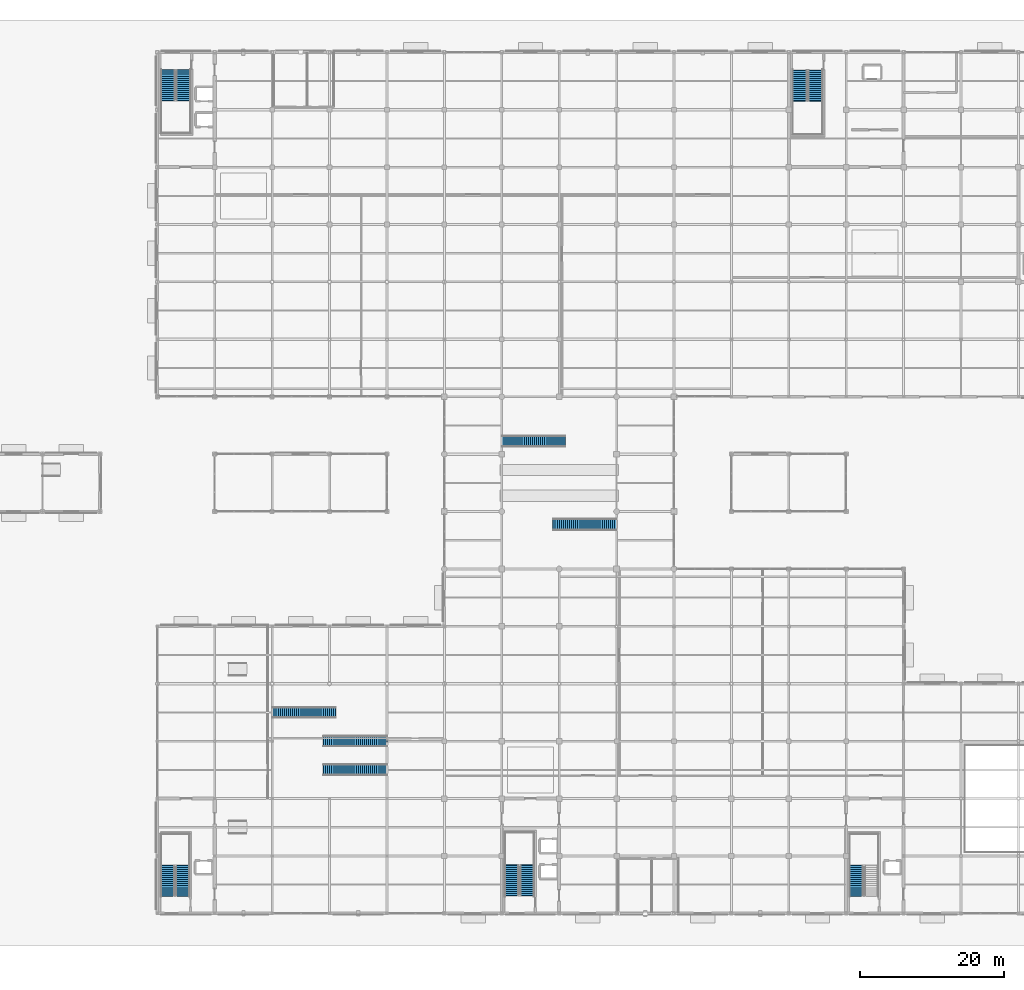
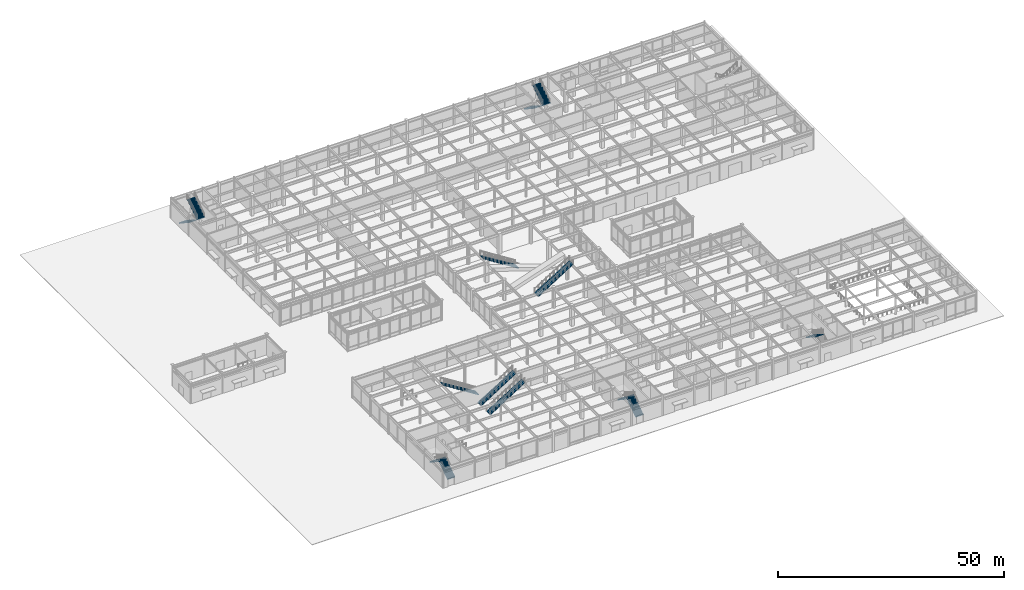
# One storey, part 109 of 128: 14 stair flights, 10 elements without a shape of their own.
"""IFC4 building model written with IfcOpenShell, lengths in metres."""

import ifcopenshell
import ifcopenshell.guid

model = None  # the IFC model being written
_history = None  # IfcOwnerHistory: only IFC2X3 demands one
_inside = {}  # id of a spatial element -> (the spatial element, [elements in it])
_under = {}  # id of a project, library or spatial element -> (it, [spatial elements below it])
_declared = {}  # id of a project -> (the project, [libraries it declares])
_typed = {}  # id of a type object -> (the type object, [elements of that type])
_made_of = {}  # id of a material, layer set ... -> (it, [elements and type objects made of it])


def new_model(schema):
    """Start an empty IFC model of exactly this schema.

    Asked for "IFC4X3", IfcOpenShell would pick the latest addendum, in which some entities
    have other attributes; the version numbers below select the first issue.
    IFC2X3 requires an IfcOwnerHistory on every rooted entity: one is made here for all.
    """
    global model, _history
    if schema == "IFC4X3":
        model = ifcopenshell.file(schema_version=(4, 3, 0, 0))
    else:
        model = ifcopenshell.file(schema=schema)
    _inside.clear()
    _under.clear()
    _declared.clear()
    _typed.clear()
    _made_of.clear()
    _history = None
    if model.schema == "IFC2X3":
        org = make("IfcOrganization", Name="unknown")
        user = make(
            "IfcPersonAndOrganization",
            ThePerson=make("IfcPerson", FamilyName="unknown"),
            TheOrganization=org,
        )
        app = make(
            "IfcApplication",
            ApplicationDeveloper=org,
            Version="unknown",
            ApplicationFullName="unknown",
            ApplicationIdentifier="unknown",
        )
        _history = make(
            "IfcOwnerHistory",
            OwningUser=user,
            OwningApplication=app,
            ChangeAction="ADDED",
            CreationDate=0,
        )
    return model


def make(cls, **values):
    """One entity of the class cls with the attributes given. An attribute that is None is left unset."""
    return model.create_entity(
        cls, **{name: value for name, value in values.items() if value is not None}
    )


def rooted(cls, **values):
    """An entity with a GlobalId (a new one), such as an element, a storey or a relation."""
    return make(cls, GlobalId=ifcopenshell.guid.new(), OwnerHistory=_history, **values)


def si_unit(unit_type, name, prefix=None):
    """IfcSIUnit, for example si_unit("LENGTHUNIT", "METRE", prefix="MILLI")."""
    return make("IfcSIUnit", UnitType=unit_type, Prefix=prefix, Name=name)


def assignment(units):
    """IfcUnitAssignment: the units of a project."""
    return None if units is None else make("IfcUnitAssignment", Units=units)


def point(xyz):
    """IfcCartesianPoint."""
    return None if xyz is None else make("IfcCartesianPoint", Coordinates=xyz)


def direction(xyz):
    """IfcDirection."""
    return None if xyz is None else make("IfcDirection", DirectionRatios=xyz)


def frame(location, z_axis=None, x_axis=None):
    """IfcAxis2Placement3D, a coordinate frame: its origin and axes. An axis left out is left unset."""
    return make(
        "IfcAxis2Placement3D",
        Location=point(location),
        Axis=direction(z_axis),
        RefDirection=direction(x_axis),
    )


def origin():
    """The frame at (0, 0, 0) with its axes left unset."""
    return frame((0.0, 0.0, 0.0))


def place(relative_to, where):
    """IfcLocalPlacement: puts the frame where relative to a parent placement (None: the world)."""
    return make(
        "IfcLocalPlacement", PlacementRelTo=relative_to, RelativePlacement=where
    )


def context(
    kind, dimensions, precision=None, world=None, true_north=None, identifier=None
):
    """IfcGeometricRepresentationContext, for example the 3D "Model" context."""
    return make(
        "IfcGeometricRepresentationContext",
        ContextIdentifier=identifier,
        ContextType=kind,
        CoordinateSpaceDimension=dimensions,
        Precision=precision,
        WorldCoordinateSystem=world,
        TrueNorth=true_north,
    )


def subcontext(parent, identifier, kind, view, scale=None):
    """IfcGeometricRepresentationSubContext, for example "Body" below "Model"."""
    return make(
        "IfcGeometricRepresentationSubContext",
        ContextIdentifier=identifier,
        ContextType=kind,
        ParentContext=parent,
        TargetScale=scale,
        TargetView=view,
    )


def project(units=None, contexts=None):
    """IfcProject with its units and contexts."""
    return rooted(
        "IfcProject",
        Name="project",
        RepresentationContexts=contexts,
        UnitsInContext=assignment(units),
    )


def spatial(cls, under=None, at=None, **own):
    """A site, building, storey or space (cls), placed at a placement, below another one or the project."""
    s = rooted(cls, ObjectPlacement=at, **own)
    if under is not None:
        _under.setdefault(under.id(), (under, []))[1].append(s)
    return s


def polyline(points):
    """IfcPolyline through the points."""
    return make("IfcPolyline", Points=[point(p) for p in points])


def outline(outer, holes=None, kind="AREA"):
    """IfcArbitraryClosedProfileDef: a profile drawn as a closed curve; with holes, ...WithVoids."""
    if holes is None:
        return make("IfcArbitraryClosedProfileDef", ProfileType=kind, OuterCurve=outer)
    return make(
        "IfcArbitraryProfileDefWithVoids",
        ProfileType=kind,
        OuterCurve=outer,
        InnerCurves=holes,
    )


def extrude(swept, where, along, depth):
    """IfcExtrudedAreaSolid: the profile swept, set in the frame where, extruded along a direction by depth."""
    return make(
        "IfcExtrudedAreaSolid",
        SweptArea=swept,
        Position=where,
        ExtrudedDirection=direction(along),
        Depth=depth,
    )


def shape(context_of_items, identifier, shape_type, items):
    """IfcShapeRepresentation: the items that make up one representation, for example the "Body"."""
    return make(
        "IfcShapeRepresentation",
        ContextOfItems=context_of_items,
        RepresentationIdentifier=identifier,
        RepresentationType=shape_type,
        Items=items,
    )


def material(Name=None, Category=None):
    """IfcMaterial."""
    return make("IfcMaterial", Name=Name, Category=Category)


def made_of(thing, what):
    """Note that an element or type object is made of a material, layer set ...; save() writes the relation."""
    if what is not None:
        _made_of.setdefault(what.id(), (what, []))[1].append(thing)
    return thing


def type_object(cls, material=None, **own):
    """A type object (cls), such as IfcWallType, which elements share."""
    return made_of(rooted(cls, **own), material)


def element(
    cls,
    number,
    at=None,
    inside=None,
    cuts=None,
    type_object=None,
    material=None,
    context=None,
    identifier="Body",
    shape_type=None,
    held_by="IfcProductDefinitionShape",
    body=None,
    shapes=None,
    **own,
):
    """One element of the class cls, such as IfcWall. Its Tag is "e" and its number.

    at: its placement. inside: the storey or other place that contains it. cuts: it is an
    opening in that element (IfcRelVoidsElement). A single representation is given by context,
    identifier, shape_type and body (its items); several are given by shapes. held_by: the class
    of the entity that holds the representations. save() writes the other relations.
    """
    e = rooted(cls, Tag="e%d" % number, ObjectPlacement=at, **own)
    if body is not None:
        shapes = [shape(context, identifier, shape_type, body)]
    if shapes is not None:
        e.Representation = make(held_by, Representations=shapes)
    if inside is not None:
        _inside.setdefault(inside.id(), (inside, []))[1].append(e)
    if cuts is not None:
        rooted(
            "IfcRelVoidsElement", RelatingBuildingElement=cuts, RelatedOpeningElement=e
        )
    if type_object is not None:
        _typed.setdefault(type_object.id(), (type_object, []))[1].append(e)
    return made_of(e, material)


def aggregate(whole, parts):
    """IfcRelAggregates: a whole, such as a stair, and the parts it consists of."""
    return rooted("IfcRelAggregates", RelatingObject=whole, RelatedObjects=parts)


def save(model, path):
    """Write the relations noted so far, then the file.

    IfcRelAggregates (storeys below a building ...), IfcRelContainedInSpatialStructure (elements
    in a storey), IfcRelDefinesByType, IfcRelAssociatesMaterial and IfcRelDeclares: one each for
    every whole, place, type object, material and project.
    """
    for whole, parts in _under.values():
        aggregate(whole, parts)
    for where, things in _inside.values():
        rooted(
            "IfcRelContainedInSpatialStructure",
            RelatedElements=things,
            RelatingStructure=where,
        )
    for kind, things in _typed.values():
        rooted("IfcRelDefinesByType", RelatedObjects=things, RelatingType=kind)
    for what, things in _made_of.values():
        rooted("IfcRelAssociatesMaterial", RelatedObjects=things, RelatingMaterial=what)
    for by, libraries in _declared.values():
        rooted("IfcRelDeclares", RelatingContext=by, RelatedDefinitions=libraries)
    model.write(path)


model = new_model("IFC4")

# Units and contexts
model_context = context("Model", 3, precision=1e-05, world=origin(), true_north=direction((0.0, 1.0)))
body_context = subcontext(model_context, "Body", "Model", "MODEL_VIEW")
ifc_project = project(units=[si_unit("LENGTHUNIT", "METRE"), si_unit("AREAUNIT", "SQUARE_METRE"), si_unit("VOLUMEUNIT", "CUBIC_METRE"), si_unit("PLANEANGLEUNIT", "RADIAN"), si_unit("MASSUNIT", "GRAM", prefix="KILO")], contexts=[model_context])

# Site, building, storey
site_placement = place(None, origin())
site = spatial("IfcSite", under=ifc_project, at=site_placement, CompositionType="ELEMENT")
building_placement = place(site_placement, origin())
building = spatial("IfcBuilding", under=site, at=building_placement, Name="Solmirada Galleria", CompositionType="ELEMENT")
storey_placement = place(building_placement, origin())
storey = spatial("IfcBuildingStorey", under=building, at=storey_placement, Name="L00", CompositionType="ELEMENT", Elevation=0.0)

# Stair, stair flights
ifc_material_1 = material(Name="Concrete C35/45", Category="concrete")
stair_type_1 = type_object("IfcStairType", Name="STR-DOG-195-H56", PredefinedType="HALF_TURN_STAIR", material=ifc_material_1)
stair_1_placement = place(storey_placement, origin())
stair_1 = element("IfcStair", 1, at=stair_1_placement, inside=storey, type_object=stair_type_1, Name="L00 Food Hall Pavilion Core Exit Stair ST5", PredefinedType="HALF_TURN_STAIR")
stair_flight_type_1 = type_object("IfcStairFlightType", Name="SFL-DOG-195-H56", PredefinedType="STRAIGHT", material=ifc_material_1)
stair_flight_1_placement = place(storey_placement, frame((43.52490234375, 2.449951171875, 0.0), z_axis=(0.0, 0.0, 1.0), x_axis=(0.0, 1.0, 0.0)))
stair_flight_1 = element("IfcStairFlight", 2, at=stair_flight_1_placement, type_object=stair_flight_type_1, Name="ST5 flight 1", NumberOfRisers=16, NumberOfTreads=15, PredefinedType="STRAIGHT", RiserHeight=0.175, TreadLength=0.28, context=body_context, shape_type="SweptSolid", body=[
    extrude(outline(polyline([(-0.080078125, 0.0), (0.0, 0.0), (0.0, 0.175048828125), (0.280029296875, 0.175048828125), (0.280029296875, 0.35009765625), (0.56005859375, 0.35009765625), (0.56005859375, 0.52490234375), (0.840087890625, 0.52490234375), (0.840087890625, 0.699951171875), (1.1201171875, 0.699951171875), (1.1201171875, 0.875), (1.39990234375, 0.875), (1.39990234375, 1.050048828125), (1.679931640625, 1.050048828125), (1.679931640625, 1.22509765625), (1.9599609375, 1.22509765625), (1.9599609375, 1.39990234375), (2.239990234375, 1.39990234375), (2.239990234375, 1.574951171875), (2.52001953125, 1.574951171875), (2.52001953125, 1.75), (2.800048828125, 1.75), (2.800048828125, 1.925048828125), (3.080078125, 1.925048828125), (3.080078125, 2.10009765625), (3.360107421875, 2.10009765625), (3.360107421875, 2.27490234375), (3.639892578125, 2.27490234375), (3.639892578125, 2.449951171875), (3.919921875, 2.449951171875), (3.919921875, 2.625), (4.199951171875, 2.625), (4.199951171875, 2.800048828125), (4.280029296875, 2.800048828125), (4.280029296875, 2.60009765625), (4.199951171875, 2.60009765625), (0.080078125, -0.179931640625), (-0.080078125, -0.179931640625), (-0.080078125, 0.0)])), frame((0.0, 0.97509765625, 0.0), z_axis=(0.0, -1.0, 0.0), x_axis=(1.0, 0.0, 0.0)), (0.0, 0.0, 1.0), 1.949951171875),
])
stair_flight_2_placement = place(storey_placement, frame((41.425048828125, 6.64990234375, 2.800048828125), z_axis=(0.0, 0.0, 1.0), x_axis=(0.0, -1.0, 0.0)))
stair_flight_2 = element("IfcStairFlight", 3, at=stair_flight_2_placement, type_object=stair_flight_type_1, Name="ST5 flight 2", NumberOfRisers=16, NumberOfTreads=15, PredefinedType="STRAIGHT", RiserHeight=0.175, TreadLength=0.28, context=body_context, shape_type="SweptSolid", body=[
    extrude(outline(polyline([(-0.080078125, 0.0), (0.0, 0.0), (0.0, 0.175048828125), (0.280029296875, 0.175048828125), (0.280029296875, 0.35009765625), (0.56005859375, 0.35009765625), (0.56005859375, 0.52490234375), (0.840087890625, 0.52490234375), (0.840087890625, 0.699951171875), (1.1201171875, 0.699951171875), (1.1201171875, 0.875), (1.39990234375, 0.875), (1.39990234375, 1.050048828125), (1.679931640625, 1.050048828125), (1.679931640625, 1.22509765625), (1.9599609375, 1.22509765625), (1.9599609375, 1.39990234375), (2.239990234375, 1.39990234375), (2.239990234375, 1.574951171875), (2.52001953125, 1.574951171875), (2.52001953125, 1.75), (2.800048828125, 1.75), (2.800048828125, 1.925048828125), (3.080078125, 1.925048828125), (3.080078125, 2.10009765625), (3.360107421875, 2.10009765625), (3.360107421875, 2.27490234375), (3.639892578125, 2.27490234375), (3.639892578125, 2.449951171875), (3.919921875, 2.449951171875), (3.919921875, 2.625), (4.199951171875, 2.625), (4.199951171875, 2.800048828125), (4.280029296875, 2.800048828125), (4.280029296875, 2.60009765625), (4.199951171875, 2.60009765625), (0.080078125, -0.179931640625), (-0.080078125, -0.179931640625), (-0.080078125, 0.0)])), frame((0.0, 0.97509765625, 0.0), z_axis=(0.0, -1.0, 0.0), x_axis=(1.0, 0.0, 0.0)), (0.0, 0.0, 1.0), 1.949951171875),
])
aggregate(stair_1, [stair_flight_1, stair_flight_2])

# Stair, stair flight
stair_2_placement = place(storey_placement, origin())
stair_2 = element("IfcStair", 4, at=stair_2_placement, inside=storey, type_object=stair_type_1, Name="L00 Southeast Podium Core Exit Stair ST6", PredefinedType="HALF_TURN_STAIR")
stair_flight_3_placement = place(storey_placement, frame((137.425048828125, 6.64990234375, 2.800048828125), z_axis=(0.0, 0.0, 1.0), x_axis=(0.0, -1.0, 0.0)))
stair_flight_3 = element("IfcStairFlight", 5, at=stair_flight_3_placement, type_object=stair_flight_type_1, Name="ST6 flight 2", NumberOfRisers=16, NumberOfTreads=15, PredefinedType="STRAIGHT", RiserHeight=0.175, TreadLength=0.28, context=body_context, shape_type="SweptSolid", body=[
    extrude(outline(polyline([(-0.080078125, 0.0), (0.0, 0.0), (0.0, 0.175048828125), (0.280029296875, 0.175048828125), (0.280029296875, 0.35009765625), (0.56005859375, 0.35009765625), (0.56005859375, 0.52490234375), (0.840087890625, 0.52490234375), (0.840087890625, 0.699951171875), (1.1201171875, 0.699951171875), (1.1201171875, 0.875), (1.39990234375, 0.875), (1.39990234375, 1.050048828125), (1.679931640625, 1.050048828125), (1.679931640625, 1.22509765625), (1.9599609375, 1.22509765625), (1.9599609375, 1.39990234375), (2.239990234375, 1.39990234375), (2.239990234375, 1.574951171875), (2.52001953125, 1.574951171875), (2.52001953125, 1.75), (2.800048828125, 1.75), (2.800048828125, 1.925048828125), (3.080078125, 1.925048828125), (3.080078125, 2.10009765625), (3.360107421875, 2.10009765625), (3.360107421875, 2.27490234375), (3.639892578125, 2.27490234375), (3.639892578125, 2.449951171875), (3.919921875, 2.449951171875), (3.919921875, 2.625), (4.199951171875, 2.625), (4.199951171875, 2.800048828125), (4.280029296875, 2.800048828125), (4.280029296875, 2.60009765625), (4.199951171875, 2.60009765625), (0.080078125, -0.179931640625), (-0.080078125, -0.179931640625), (-0.080078125, 0.0)])), frame((0.0, 0.97509765625, 0.0), z_axis=(0.0, -1.0, 0.0), x_axis=(1.0, 0.0, 0.0)), (0.0, 0.0, 1.0), 1.949951171875),
])
aggregate(stair_2, [stair_flight_3])

# Stair, stair flights
stair_type_2 = type_object("IfcStairType", Name="STR-DOG-200-H56", PredefinedType="HALF_TURN_STAIR", material=ifc_material_1)
stair_3_placement = place(storey_placement, origin())
stair_3 = element("IfcStair", 6, at=stair_3_placement, inside=storey, type_object=stair_type_2, Name="L00 Northwest Sales Core Exit Stair ST1", PredefinedType="HALF_TURN_STAIR")
stair_flight_type_2 = type_object("IfcStairFlightType", Name="SFL-DOG-200-H56", PredefinedType="STRAIGHT", material=ifc_material_1)
stair_flight_4_placement = place(storey_placement, frame((41.5, 117.5, 0.0), z_axis=(0.0, 0.0, 1.0), x_axis=(0.0, -1.0, 0.0)))
stair_flight_4 = element("IfcStairFlight", 7, at=stair_flight_4_placement, type_object=stair_flight_type_2, Name="ST1 flight 1", NumberOfRisers=16, NumberOfTreads=15, PredefinedType="STRAIGHT", RiserHeight=0.175, TreadLength=0.28, context=body_context, shape_type="SweptSolid", body=[
    extrude(outline(polyline([(-0.080078125, 0.0), (0.0, 0.0), (0.0, 0.175048828125), (0.280029296875, 0.175048828125), (0.280029296875, 0.35009765625), (0.56005859375, 0.35009765625), (0.56005859375, 0.52490234375), (0.840087890625, 0.52490234375), (0.840087890625, 0.699951171875), (1.1201171875, 0.699951171875), (1.1201171875, 0.875), (1.39990234375, 0.875), (1.39990234375, 1.050048828125), (1.679931640625, 1.050048828125), (1.679931640625, 1.22509765625), (1.9599609375, 1.22509765625), (1.9599609375, 1.39990234375), (2.239990234375, 1.39990234375), (2.239990234375, 1.574951171875), (2.52001953125, 1.574951171875), (2.52001953125, 1.75), (2.800048828125, 1.75), (2.800048828125, 1.925048828125), (3.080078125, 1.925048828125), (3.080078125, 2.10009765625), (3.360107421875, 2.10009765625), (3.360107421875, 2.27490234375), (3.639892578125, 2.27490234375), (3.639892578125, 2.449951171875), (3.919921875, 2.449951171875), (3.919921875, 2.625), (4.199951171875, 2.625), (4.199951171875, 2.800048828125), (4.280029296875, 2.800048828125), (4.280029296875, 2.60009765625), (4.199951171875, 2.60009765625), (0.080078125, -0.179931640625), (-0.080078125, -0.179931640625), (-0.080078125, 0.0)])), frame((0.0, 1.0, 0.0), z_axis=(0.0, -1.0, 0.0), x_axis=(1.0, 0.0, 0.0)), (0.0, 0.0, 1.0), 2.0),
])
stair_flight_5_placement = place(storey_placement, frame((43.64990234375, 113.300048828125, 2.800048828125), z_axis=(0.0, 0.0, 1.0), x_axis=(0.0, 1.0, 0.0)))
stair_flight_5 = element("IfcStairFlight", 8, at=stair_flight_5_placement, type_object=stair_flight_type_2, Name="ST1 flight 2", NumberOfRisers=16, NumberOfTreads=15, PredefinedType="STRAIGHT", RiserHeight=0.175, TreadLength=0.28, context=body_context, shape_type="SweptSolid", body=[
    extrude(outline(polyline([(-0.080078125, 0.0), (0.0, 0.0), (0.0, 0.175048828125), (0.280029296875, 0.175048828125), (0.280029296875, 0.35009765625), (0.56005859375, 0.35009765625), (0.56005859375, 0.52490234375), (0.840087890625, 0.52490234375), (0.840087890625, 0.699951171875), (1.1201171875, 0.699951171875), (1.1201171875, 0.875), (1.39990234375, 0.875), (1.39990234375, 1.050048828125), (1.679931640625, 1.050048828125), (1.679931640625, 1.22509765625), (1.9599609375, 1.22509765625), (1.9599609375, 1.39990234375), (2.239990234375, 1.39990234375), (2.239990234375, 1.574951171875), (2.52001953125, 1.574951171875), (2.52001953125, 1.75), (2.800048828125, 1.75), (2.800048828125, 1.925048828125), (3.080078125, 1.925048828125), (3.080078125, 2.10009765625), (3.360107421875, 2.10009765625), (3.360107421875, 2.27490234375), (3.639892578125, 2.27490234375), (3.639892578125, 2.449951171875), (3.919921875, 2.449951171875), (3.919921875, 2.625), (4.199951171875, 2.625), (4.199951171875, 2.800048828125), (4.280029296875, 2.800048828125), (4.280029296875, 2.60009765625), (4.199951171875, 2.60009765625), (0.080078125, -0.179931640625), (-0.080078125, -0.179931640625), (-0.080078125, 0.0)])), frame((0.0, 1.0, 0.0), z_axis=(0.0, -1.0, 0.0), x_axis=(1.0, 0.0, 0.0)), (0.0, 0.0, 1.0), 2.0),
])
aggregate(stair_3, [stair_flight_4, stair_flight_5])

stair_4_placement = place(storey_placement, origin())
stair_4 = element("IfcStair", 9, at=stair_4_placement, inside=storey, type_object=stair_type_2, Name="L00 South Sales Core Exit Stair ST2", PredefinedType="HALF_TURN_STAIR")
stair_flight_6_placement = place(storey_placement, frame((91.550048828125, 2.5, 0.0), z_axis=(0.0, 0.0, 1.0), x_axis=(0.0, 1.0, 0.0)))
stair_flight_6 = element("IfcStairFlight", 10, at=stair_flight_6_placement, type_object=stair_flight_type_2, Name="ST2 flight 1", NumberOfRisers=16, NumberOfTreads=15, PredefinedType="STRAIGHT", RiserHeight=0.175, TreadLength=0.28, context=body_context, shape_type="SweptSolid", body=[
    extrude(outline(polyline([(-0.080078125, 0.0), (0.0, 0.0), (0.0, 0.175048828125), (0.280029296875, 0.175048828125), (0.280029296875, 0.35009765625), (0.56005859375, 0.35009765625), (0.56005859375, 0.52490234375), (0.840087890625, 0.52490234375), (0.840087890625, 0.699951171875), (1.1201171875, 0.699951171875), (1.1201171875, 0.875), (1.39990234375, 0.875), (1.39990234375, 1.050048828125), (1.679931640625, 1.050048828125), (1.679931640625, 1.22509765625), (1.9599609375, 1.22509765625), (1.9599609375, 1.39990234375), (2.239990234375, 1.39990234375), (2.239990234375, 1.574951171875), (2.52001953125, 1.574951171875), (2.52001953125, 1.75), (2.800048828125, 1.75), (2.800048828125, 1.925048828125), (3.080078125, 1.925048828125), (3.080078125, 2.10009765625), (3.360107421875, 2.10009765625), (3.360107421875, 2.27490234375), (3.639892578125, 2.27490234375), (3.639892578125, 2.449951171875), (3.919921875, 2.449951171875), (3.919921875, 2.625), (4.199951171875, 2.625), (4.199951171875, 2.800048828125), (4.280029296875, 2.800048828125), (4.280029296875, 2.60009765625), (4.199951171875, 2.60009765625), (0.080078125, -0.179931640625), (-0.080078125, -0.179931640625), (-0.080078125, 0.0)])), frame((0.0, 1.0, 0.0), z_axis=(0.0, -1.0, 0.0), x_axis=(1.0, 0.0, 0.0)), (0.0, 0.0, 1.0), 2.0),
])
stair_flight_7_placement = place(storey_placement, frame((89.39990234375, 6.699951171875, 2.800048828125), z_axis=(0.0, 0.0, 1.0), x_axis=(0.0, -1.0, 0.0)))
stair_flight_7 = element("IfcStairFlight", 11, at=stair_flight_7_placement, type_object=stair_flight_type_2, Name="ST2 flight 2", NumberOfRisers=16, NumberOfTreads=15, PredefinedType="STRAIGHT", RiserHeight=0.175, TreadLength=0.28, context=body_context, shape_type="SweptSolid", body=[
    extrude(outline(polyline([(-0.080078125, 0.0), (0.0, 0.0), (0.0, 0.175048828125), (0.280029296875, 0.175048828125), (0.280029296875, 0.35009765625), (0.56005859375, 0.35009765625), (0.56005859375, 0.52490234375), (0.840087890625, 0.52490234375), (0.840087890625, 0.699951171875), (1.1201171875, 0.699951171875), (1.1201171875, 0.875), (1.39990234375, 0.875), (1.39990234375, 1.050048828125), (1.679931640625, 1.050048828125), (1.679931640625, 1.22509765625), (1.9599609375, 1.22509765625), (1.9599609375, 1.39990234375), (2.239990234375, 1.39990234375), (2.239990234375, 1.574951171875), (2.52001953125, 1.574951171875), (2.52001953125, 1.75), (2.800048828125, 1.75), (2.800048828125, 1.925048828125), (3.080078125, 1.925048828125), (3.080078125, 2.10009765625), (3.360107421875, 2.10009765625), (3.360107421875, 2.27490234375), (3.639892578125, 2.27490234375), (3.639892578125, 2.449951171875), (3.919921875, 2.449951171875), (3.919921875, 2.625), (4.199951171875, 2.625), (4.199951171875, 2.800048828125), (4.280029296875, 2.800048828125), (4.280029296875, 2.60009765625), (4.199951171875, 2.60009765625), (0.080078125, -0.179931640625), (-0.080078125, -0.179931640625), (-0.080078125, 0.0)])), frame((0.0, 1.0, 0.0), z_axis=(0.0, -1.0, 0.0), x_axis=(1.0, 0.0, 0.0)), (0.0, 0.0, 1.0), 2.0),
])
aggregate(stair_4, [stair_flight_6, stair_flight_7])

stair_type_3 = type_object("IfcStairType", Name="STR-DOG-205-H56", PredefinedType="HALF_TURN_STAIR", material=ifc_material_1)
stair_5_placement = place(storey_placement, origin())
stair_5 = element("IfcStair", 12, at=stair_5_placement, inside=storey, type_object=stair_type_3, Name="L00 North Avenue High-Rise Core Exit Stair ST3", PredefinedType="HALF_TURN_STAIR")
stair_flight_type_3 = type_object("IfcStairFlightType", Name="SFL-DOG-205-H56", PredefinedType="STRAIGHT", material=ifc_material_1)
stair_flight_8_placement = place(storey_placement, frame((129.52490234375, 117.449951171875, 0.0), z_axis=(0.0, 0.0, 1.0), x_axis=(0.0, -1.0, 0.0)))
stair_flight_8 = element("IfcStairFlight", 13, at=stair_flight_8_placement, type_object=stair_flight_type_3, Name="ST3 flight 1", NumberOfRisers=16, NumberOfTreads=15, PredefinedType="STRAIGHT", RiserHeight=0.175, TreadLength=0.28, context=body_context, shape_type="SweptSolid", body=[
    extrude(outline(polyline([(-0.080078125, 0.0), (0.0, 0.0), (0.0, 0.175048828125), (0.280029296875, 0.175048828125), (0.280029296875, 0.35009765625), (0.56005859375, 0.35009765625), (0.56005859375, 0.52490234375), (0.840087890625, 0.52490234375), (0.840087890625, 0.699951171875), (1.1201171875, 0.699951171875), (1.1201171875, 0.875), (1.39990234375, 0.875), (1.39990234375, 1.050048828125), (1.679931640625, 1.050048828125), (1.679931640625, 1.22509765625), (1.9599609375, 1.22509765625), (1.9599609375, 1.39990234375), (2.239990234375, 1.39990234375), (2.239990234375, 1.574951171875), (2.52001953125, 1.574951171875), (2.52001953125, 1.75), (2.800048828125, 1.75), (2.800048828125, 1.925048828125), (3.080078125, 1.925048828125), (3.080078125, 2.10009765625), (3.360107421875, 2.10009765625), (3.360107421875, 2.27490234375), (3.639892578125, 2.27490234375), (3.639892578125, 2.449951171875), (3.919921875, 2.449951171875), (3.919921875, 2.625), (4.199951171875, 2.625), (4.199951171875, 2.800048828125), (4.280029296875, 2.800048828125), (4.280029296875, 2.60009765625), (4.199951171875, 2.60009765625), (0.080078125, -0.179931640625), (-0.080078125, -0.179931640625), (-0.080078125, 0.0)])), frame((0.0, 1.02490234375, 0.0), z_axis=(0.0, -1.0, 0.0), x_axis=(1.0, 0.0, 0.0)), (0.0, 0.0, 1.0), 2.050048828125),
])
stair_flight_9_placement = place(storey_placement, frame((131.72509765625, 113.25, 2.800048828125), z_axis=(0.0, 0.0, 1.0), x_axis=(0.0, 1.0, 0.0)))
stair_flight_9 = element("IfcStairFlight", 14, at=stair_flight_9_placement, type_object=stair_flight_type_3, Name="ST3 flight 2", NumberOfRisers=16, NumberOfTreads=15, PredefinedType="STRAIGHT", RiserHeight=0.175, TreadLength=0.28, context=body_context, shape_type="SweptSolid", body=[
    extrude(outline(polyline([(-0.080078125, 0.0), (0.0, 0.0), (0.0, 0.175048828125), (0.280029296875, 0.175048828125), (0.280029296875, 0.35009765625), (0.56005859375, 0.35009765625), (0.56005859375, 0.52490234375), (0.840087890625, 0.52490234375), (0.840087890625, 0.699951171875), (1.1201171875, 0.699951171875), (1.1201171875, 0.875), (1.39990234375, 0.875), (1.39990234375, 1.050048828125), (1.679931640625, 1.050048828125), (1.679931640625, 1.22509765625), (1.9599609375, 1.22509765625), (1.9599609375, 1.39990234375), (2.239990234375, 1.39990234375), (2.239990234375, 1.574951171875), (2.52001953125, 1.574951171875), (2.52001953125, 1.75), (2.800048828125, 1.75), (2.800048828125, 1.925048828125), (3.080078125, 1.925048828125), (3.080078125, 2.10009765625), (3.360107421875, 2.10009765625), (3.360107421875, 2.27490234375), (3.639892578125, 2.27490234375), (3.639892578125, 2.449951171875), (3.919921875, 2.449951171875), (3.919921875, 2.625), (4.199951171875, 2.625), (4.199951171875, 2.800048828125), (4.280029296875, 2.800048828125), (4.280029296875, 2.60009765625), (4.199951171875, 2.60009765625), (0.080078125, -0.179931640625), (-0.080078125, -0.179931640625), (-0.080078125, 0.0)])), frame((0.0, 1.02490234375, 0.0), z_axis=(0.0, -1.0, 0.0), x_axis=(1.0, 0.0, 0.0)), (0.0, 0.0, 1.0), 2.050048828125),
])
aggregate(stair_5, [stair_flight_8, stair_flight_9])

# Stair, stair flight
ifc_material_2 = material(Name="Steel S355 / ASTM A992 Grade 50", Category="steel")
stair_type_4 = type_object("IfcStairType", Name="STR-FEAT-1", PredefinedType="STRAIGHT_RUN_STAIR", material=ifc_material_2)
stair_6_placement = place(storey_placement, origin())
stair_6 = element("IfcStair", 15, at=stair_6_placement, inside=storey, type_object=stair_type_4, Name="Grand feature stair ST7", PredefinedType="STRAIGHT_RUN_STAIR")
stair_flight_type_4 = type_object("IfcStairFlightType", Name="SFL-FEAT-1", PredefinedType="STRAIGHT", material=ifc_material_2)
stair_flight_10_placement = place(storey_placement, frame((95.1650390625, 54.199951171875, 0.0), z_axis=(0.0, 0.0, 1.0), x_axis=(1.0, 0.0, 0.0)))
stair_flight_10 = element("IfcStairFlight", 16, at=stair_flight_10_placement, type_object=stair_flight_type_4, Name="FST1 flight 1", NumberOfRisers=32, NumberOfTreads=31, PredefinedType="STRAIGHT", RiserHeight=0.175, TreadLength=0.285, context=body_context, shape_type="SweptSolid", body=[
    extrude(outline(polyline([(-0.080078125, 0.0), (0.0, 0.0), (0.0, 0.175048828125), (0.284912109375, 0.175048828125), (0.284912109375, 0.35009765625), (0.570068359375, 0.35009765625), (0.570068359375, 0.52490234375), (0.85498046875, 0.52490234375), (0.85498046875, 0.699951171875), (1.139892578125, 0.699951171875), (1.139892578125, 0.875), (1.425048828125, 0.875), (1.425048828125, 1.050048828125), (1.7099609375, 1.050048828125), (1.7099609375, 1.22509765625), (1.9951171875, 1.22509765625), (1.9951171875, 1.39990234375), (2.280029296875, 1.39990234375), (2.280029296875, 1.574951171875), (2.56494140625, 1.574951171875), (2.56494140625, 1.75), (2.85009765625, 1.75), (2.85009765625, 1.925048828125), (3.135009765625, 1.925048828125), (3.135009765625, 2.10009765625), (3.419921875, 2.10009765625), (3.419921875, 2.27490234375), (3.705078125, 2.27490234375), (3.705078125, 2.449951171875), (3.989990234375, 2.449951171875), (3.989990234375, 2.625), (4.27490234375, 2.625), (4.27490234375, 2.800048828125), (4.56005859375, 2.800048828125), (4.56005859375, 2.97509765625), (4.844970703125, 2.97509765625), (4.844970703125, 3.14990234375), (5.1298828125, 3.14990234375), (5.1298828125, 3.324951171875), (5.4150390625, 3.324951171875), (5.4150390625, 3.5), (5.699951171875, 3.5), (5.699951171875, 3.675048828125), (5.985107421875, 3.675048828125), (5.985107421875, 3.85009765625), (6.27001953125, 3.85009765625), (6.27001953125, 4.02490234375), (6.554931640625, 4.02490234375), (6.554931640625, 4.199951171875), (6.840087890625, 4.199951171875), (6.840087890625, 4.375), (7.125, 4.375), (7.125, 4.550048828125), (7.409912109375, 4.550048828125), (7.409912109375, 4.72509765625), (7.695068359375, 4.72509765625), (7.695068359375, 4.89990234375), (7.97998046875, 4.89990234375), (7.97998046875, 5.074951171875), (8.264892578125, 5.074951171875), (8.264892578125, 5.25), (8.550048828125, 5.25), (8.550048828125, 5.425048828125), (8.8349609375, 5.425048828125), (8.8349609375, 5.60009765625), (8.9150390625, 5.60009765625), (8.9150390625, 5.39990234375), (8.8349609375, 5.39990234375), (0.080078125, -0.179931640625), (-0.080078125, -0.179931640625), (-0.080078125, 0.0)])), frame((0.0, 0.824951171875, 0.0), z_axis=(0.0, -1.0, 0.0), x_axis=(1.0, 0.0, 0.0)), (0.0, 0.0, 1.0), 1.64990234375),
])
aggregate(stair_6, [stair_flight_10])

stair_type_5 = type_object("IfcStairType", Name="STR-FEAT-2", PredefinedType="STRAIGHT_RUN_STAIR", material=ifc_material_2)
stair_7_placement = place(storey_placement, origin())
stair_7 = element("IfcStair", 17, at=stair_7_placement, inside=storey, type_object=stair_type_5, Name="Grand feature stair ST8", PredefinedType="STRAIGHT_RUN_STAIR")
stair_flight_type_5 = type_object("IfcStairFlightType", Name="SFL-FEAT-2", PredefinedType="STRAIGHT", material=ifc_material_2)
stair_flight_11_placement = place(storey_placement, frame((96.8349609375, 65.800048828125, 0.0), z_axis=(0.0, 0.0, 1.0), x_axis=(-1.0, 0.0, 0.0)))
stair_flight_11 = element("IfcStairFlight", 18, at=stair_flight_11_placement, type_object=stair_flight_type_5, Name="FST2 flight 1", NumberOfRisers=32, NumberOfTreads=31, PredefinedType="STRAIGHT", RiserHeight=0.175, TreadLength=0.285, context=body_context, shape_type="SweptSolid", body=[
    extrude(outline(polyline([(-0.080078125, 0.0), (0.0, 0.0), (0.0, 0.175048828125), (0.284912109375, 0.175048828125), (0.284912109375, 0.35009765625), (0.570068359375, 0.35009765625), (0.570068359375, 0.52490234375), (0.85498046875, 0.52490234375), (0.85498046875, 0.699951171875), (1.139892578125, 0.699951171875), (1.139892578125, 0.875), (1.425048828125, 0.875), (1.425048828125, 1.050048828125), (1.7099609375, 1.050048828125), (1.7099609375, 1.22509765625), (1.9951171875, 1.22509765625), (1.9951171875, 1.39990234375), (2.280029296875, 1.39990234375), (2.280029296875, 1.574951171875), (2.56494140625, 1.574951171875), (2.56494140625, 1.75), (2.85009765625, 1.75), (2.85009765625, 1.925048828125), (3.135009765625, 1.925048828125), (3.135009765625, 2.10009765625), (3.419921875, 2.10009765625), (3.419921875, 2.27490234375), (3.705078125, 2.27490234375), (3.705078125, 2.449951171875), (3.989990234375, 2.449951171875), (3.989990234375, 2.625), (4.27490234375, 2.625), (4.27490234375, 2.800048828125), (4.56005859375, 2.800048828125), (4.56005859375, 2.97509765625), (4.844970703125, 2.97509765625), (4.844970703125, 3.14990234375), (5.1298828125, 3.14990234375), (5.1298828125, 3.324951171875), (5.4150390625, 3.324951171875), (5.4150390625, 3.5), (5.699951171875, 3.5), (5.699951171875, 3.675048828125), (5.985107421875, 3.675048828125), (5.985107421875, 3.85009765625), (6.27001953125, 3.85009765625), (6.27001953125, 4.02490234375), (6.554931640625, 4.02490234375), (6.554931640625, 4.199951171875), (6.840087890625, 4.199951171875), (6.840087890625, 4.375), (7.125, 4.375), (7.125, 4.550048828125), (7.409912109375, 4.550048828125), (7.409912109375, 4.72509765625), (7.695068359375, 4.72509765625), (7.695068359375, 4.89990234375), (7.97998046875, 4.89990234375), (7.97998046875, 5.074951171875), (8.264892578125, 5.074951171875), (8.264892578125, 5.25), (8.550048828125, 5.25), (8.550048828125, 5.425048828125), (8.8349609375, 5.425048828125), (8.8349609375, 5.60009765625), (8.9150390625, 5.60009765625), (8.9150390625, 5.39990234375), (8.8349609375, 5.39990234375), (0.080078125, -0.179931640625), (-0.080078125, -0.179931640625), (-0.080078125, 0.0)])), frame((0.0, 0.800048828125, 0.0), z_axis=(0.0, -1.0, 0.0), x_axis=(1.0, 0.0, 0.0)), (0.0, 0.0, 1.0), 1.60009765625),
])
aggregate(stair_7, [stair_flight_11])

stair_type_6 = type_object("IfcStairType", Name="STR-FEAT-3", PredefinedType="STRAIGHT_RUN_STAIR", material=ifc_material_2)
stair_8_placement = place(storey_placement, origin())
stair_8 = element("IfcStair", 19, at=stair_8_placement, inside=storey, type_object=stair_type_6, Name="Grand feature stair ST9", PredefinedType="STRAIGHT_RUN_STAIR")
stair_flight_type_6 = type_object("IfcStairFlightType", Name="SFL-FEAT-3", PredefinedType="STRAIGHT", material=ifc_material_2)
stair_flight_12_placement = place(storey_placement, frame((63.1650390625, 20.0, 0.0), z_axis=(0.0, 0.0, 1.0), x_axis=(1.0, 0.0, 0.0)))
stair_flight_12 = element("IfcStairFlight", 20, at=stair_flight_12_placement, type_object=stair_flight_type_6, Name="FST3 flight 1", NumberOfRisers=32, NumberOfTreads=31, PredefinedType="STRAIGHT", RiserHeight=0.175, TreadLength=0.285, context=body_context, shape_type="SweptSolid", body=[
    extrude(outline(polyline([(-0.080078125, 0.0), (0.0, 0.0), (0.0, 0.175048828125), (0.284912109375, 0.175048828125), (0.284912109375, 0.35009765625), (0.570068359375, 0.35009765625), (0.570068359375, 0.52490234375), (0.85498046875, 0.52490234375), (0.85498046875, 0.699951171875), (1.139892578125, 0.699951171875), (1.139892578125, 0.875), (1.425048828125, 0.875), (1.425048828125, 1.050048828125), (1.7099609375, 1.050048828125), (1.7099609375, 1.22509765625), (1.9951171875, 1.22509765625), (1.9951171875, 1.39990234375), (2.280029296875, 1.39990234375), (2.280029296875, 1.574951171875), (2.56494140625, 1.574951171875), (2.56494140625, 1.75), (2.85009765625, 1.75), (2.85009765625, 1.925048828125), (3.135009765625, 1.925048828125), (3.135009765625, 2.10009765625), (3.419921875, 2.10009765625), (3.419921875, 2.27490234375), (3.705078125, 2.27490234375), (3.705078125, 2.449951171875), (3.989990234375, 2.449951171875), (3.989990234375, 2.625), (4.27490234375, 2.625), (4.27490234375, 2.800048828125), (4.56005859375, 2.800048828125), (4.56005859375, 2.97509765625), (4.844970703125, 2.97509765625), (4.844970703125, 3.14990234375), (5.1298828125, 3.14990234375), (5.1298828125, 3.324951171875), (5.4150390625, 3.324951171875), (5.4150390625, 3.5), (5.699951171875, 3.5), (5.699951171875, 3.675048828125), (5.985107421875, 3.675048828125), (5.985107421875, 3.85009765625), (6.27001953125, 3.85009765625), (6.27001953125, 4.02490234375), (6.554931640625, 4.02490234375), (6.554931640625, 4.199951171875), (6.840087890625, 4.199951171875), (6.840087890625, 4.375), (7.125, 4.375), (7.125, 4.550048828125), (7.409912109375, 4.550048828125), (7.409912109375, 4.72509765625), (7.695068359375, 4.72509765625), (7.695068359375, 4.89990234375), (7.97998046875, 4.89990234375), (7.97998046875, 5.074951171875), (8.264892578125, 5.074951171875), (8.264892578125, 5.25), (8.550048828125, 5.25), (8.550048828125, 5.425048828125), (8.8349609375, 5.425048828125), (8.8349609375, 5.60009765625), (8.9150390625, 5.60009765625), (8.9150390625, 5.39990234375), (8.8349609375, 5.39990234375), (0.080078125, -0.179931640625), (-0.080078125, -0.179931640625), (-0.080078125, 0.0)])), frame((0.0, 0.77490234375, 0.0), z_axis=(0.0, -1.0, 0.0), x_axis=(1.0, 0.0, 0.0)), (0.0, 0.0, 1.0), 1.550048828125),
])
aggregate(stair_8, [stair_flight_12])

stair_type_7 = type_object("IfcStairType", Name="STR-FEAT-4", PredefinedType="STRAIGHT_RUN_STAIR", material=ifc_material_2)
stair_9_placement = place(storey_placement, origin())
stair_9 = element("IfcStair", 21, at=stair_9_placement, inside=storey, type_object=stair_type_7, Name="Grand feature stair ST10", PredefinedType="STRAIGHT_RUN_STAIR")
stair_flight_type_7 = type_object("IfcStairFlightType", Name="SFL-FEAT-4", PredefinedType="STRAIGHT", material=ifc_material_2)
stair_flight_13_placement = place(storey_placement, frame((64.8349609375, 28.0, 0.0), z_axis=(0.0, 0.0, 1.0), x_axis=(-1.0, 0.0, 0.0)))
stair_flight_13 = element("IfcStairFlight", 22, at=stair_flight_13_placement, type_object=stair_flight_type_7, Name="FST4 flight 1", NumberOfRisers=32, NumberOfTreads=31, PredefinedType="STRAIGHT", RiserHeight=0.175, TreadLength=0.285, context=body_context, shape_type="SweptSolid", body=[
    extrude(outline(polyline([(-0.080078125, 0.0), (0.0, 0.0), (0.0, 0.175048828125), (0.284912109375, 0.175048828125), (0.284912109375, 0.35009765625), (0.570068359375, 0.35009765625), (0.570068359375, 0.52490234375), (0.85498046875, 0.52490234375), (0.85498046875, 0.699951171875), (1.139892578125, 0.699951171875), (1.139892578125, 0.875), (1.425048828125, 0.875), (1.425048828125, 1.050048828125), (1.7099609375, 1.050048828125), (1.7099609375, 1.22509765625), (1.9951171875, 1.22509765625), (1.9951171875, 1.39990234375), (2.280029296875, 1.39990234375), (2.280029296875, 1.574951171875), (2.56494140625, 1.574951171875), (2.56494140625, 1.75), (2.85009765625, 1.75), (2.85009765625, 1.925048828125), (3.135009765625, 1.925048828125), (3.135009765625, 2.10009765625), (3.419921875, 2.10009765625), (3.419921875, 2.27490234375), (3.705078125, 2.27490234375), (3.705078125, 2.449951171875), (3.989990234375, 2.449951171875), (3.989990234375, 2.625), (4.27490234375, 2.625), (4.27490234375, 2.800048828125), (4.56005859375, 2.800048828125), (4.56005859375, 2.97509765625), (4.844970703125, 2.97509765625), (4.844970703125, 3.14990234375), (5.1298828125, 3.14990234375), (5.1298828125, 3.324951171875), (5.4150390625, 3.324951171875), (5.4150390625, 3.5), (5.699951171875, 3.5), (5.699951171875, 3.675048828125), (5.985107421875, 3.675048828125), (5.985107421875, 3.85009765625), (6.27001953125, 3.85009765625), (6.27001953125, 4.02490234375), (6.554931640625, 4.02490234375), (6.554931640625, 4.199951171875), (6.840087890625, 4.199951171875), (6.840087890625, 4.375), (7.125, 4.375), (7.125, 4.550048828125), (7.409912109375, 4.550048828125), (7.409912109375, 4.72509765625), (7.695068359375, 4.72509765625), (7.695068359375, 4.89990234375), (7.97998046875, 4.89990234375), (7.97998046875, 5.074951171875), (8.264892578125, 5.074951171875), (8.264892578125, 5.25), (8.550048828125, 5.25), (8.550048828125, 5.425048828125), (8.8349609375, 5.425048828125), (8.8349609375, 5.60009765625), (8.9150390625, 5.60009765625), (8.9150390625, 5.39990234375), (8.8349609375, 5.39990234375), (0.080078125, -0.179931640625), (-0.080078125, -0.179931640625), (-0.080078125, 0.0)])), frame((0.0, 0.75, 0.0), z_axis=(0.0, -1.0, 0.0), x_axis=(1.0, 0.0, 0.0)), (0.0, 0.0, 1.0), 1.5),
])
aggregate(stair_9, [stair_flight_13])

stair_10_placement = place(storey_placement, origin())
stair_10 = element("IfcStair", 23, at=stair_10_placement, inside=storey, type_object=stair_type_7, Name="Grand feature stair ST11", PredefinedType="STRAIGHT_RUN_STAIR")
stair_flight_14_placement = place(storey_placement, frame((63.1650390625, 24.0, 0.0), z_axis=(0.0, 0.0, 1.0), x_axis=(1.0, 0.0, 0.0)))
stair_flight_14 = element("IfcStairFlight", 24, at=stair_flight_14_placement, type_object=stair_flight_type_7, Name="FST4 flight 1", NumberOfRisers=32, NumberOfTreads=31, PredefinedType="STRAIGHT", RiserHeight=0.175, TreadLength=0.285, context=body_context, shape_type="SweptSolid", body=[
    extrude(outline(polyline([(-0.080078125, 0.0), (0.0, 0.0), (0.0, 0.175048828125), (0.284912109375, 0.175048828125), (0.284912109375, 0.35009765625), (0.570068359375, 0.35009765625), (0.570068359375, 0.52490234375), (0.85498046875, 0.52490234375), (0.85498046875, 0.699951171875), (1.139892578125, 0.699951171875), (1.139892578125, 0.875), (1.425048828125, 0.875), (1.425048828125, 1.050048828125), (1.7099609375, 1.050048828125), (1.7099609375, 1.22509765625), (1.9951171875, 1.22509765625), (1.9951171875, 1.39990234375), (2.280029296875, 1.39990234375), (2.280029296875, 1.574951171875), (2.56494140625, 1.574951171875), (2.56494140625, 1.75), (2.85009765625, 1.75), (2.85009765625, 1.925048828125), (3.135009765625, 1.925048828125), (3.135009765625, 2.10009765625), (3.419921875, 2.10009765625), (3.419921875, 2.27490234375), (3.705078125, 2.27490234375), (3.705078125, 2.449951171875), (3.989990234375, 2.449951171875), (3.989990234375, 2.625), (4.27490234375, 2.625), (4.27490234375, 2.800048828125), (4.56005859375, 2.800048828125), (4.56005859375, 2.97509765625), (4.844970703125, 2.97509765625), (4.844970703125, 3.14990234375), (5.1298828125, 3.14990234375), (5.1298828125, 3.324951171875), (5.4150390625, 3.324951171875), (5.4150390625, 3.5), (5.699951171875, 3.5), (5.699951171875, 3.675048828125), (5.985107421875, 3.675048828125), (5.985107421875, 3.85009765625), (6.27001953125, 3.85009765625), (6.27001953125, 4.02490234375), (6.554931640625, 4.02490234375), (6.554931640625, 4.199951171875), (6.840087890625, 4.199951171875), (6.840087890625, 4.375), (7.125, 4.375), (7.125, 4.550048828125), (7.409912109375, 4.550048828125), (7.409912109375, 4.72509765625), (7.695068359375, 4.72509765625), (7.695068359375, 4.89990234375), (7.97998046875, 4.89990234375), (7.97998046875, 5.074951171875), (8.264892578125, 5.074951171875), (8.264892578125, 5.25), (8.550048828125, 5.25), (8.550048828125, 5.425048828125), (8.8349609375, 5.425048828125), (8.8349609375, 5.60009765625), (8.9150390625, 5.60009765625), (8.9150390625, 5.39990234375), (8.8349609375, 5.39990234375), (0.080078125, -0.179931640625), (-0.080078125, -0.179931640625), (-0.080078125, 0.0)])), frame((0.0, 0.75, 0.0), z_axis=(0.0, -1.0, 0.0), x_axis=(1.0, 0.0, 0.0)), (0.0, 0.0, 1.0), 1.5),
])
aggregate(stair_10, [stair_flight_14])

save(model, "model.ifc")
